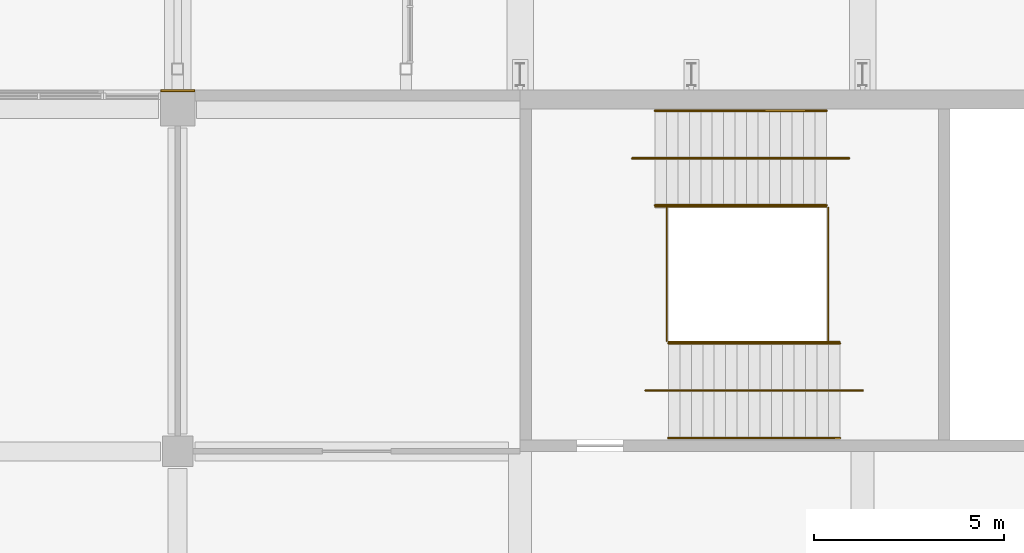
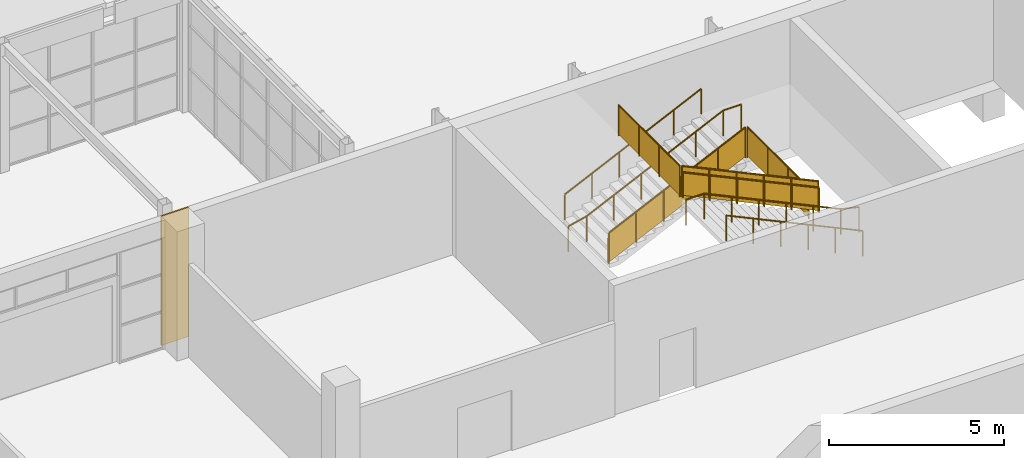
# One storey, part 163 of 168: 10 railings, 1 covering.
"""IFC4 building model written with IfcOpenShell, lengths in metres."""

from ifc_helpers import new_model, si_unit, direction, frame, origin, origin_2d, place, context, subcontext, project, spatial, polyline, circle, outline, extrude, material, layer, layer_set, type_object, element, save


model = new_model("IFC4")

# Units and contexts
model_context = context("Model", 3, precision=1e-05, world=origin(), true_north=direction((0.0, 1.0)))
body_context = subcontext(model_context, "Body", "Model", "MODEL_VIEW")
ifc_project = project(units=[si_unit("LENGTHUNIT", "METRE"), si_unit("AREAUNIT", "SQUARE_METRE"), si_unit("VOLUMEUNIT", "CUBIC_METRE"), si_unit("PLANEANGLEUNIT", "RADIAN"), si_unit("MASSUNIT", "GRAM", prefix="KILO")], contexts=[model_context])

# Site, building, storey
site_placement = place(None, origin())
site = spatial("IfcSite", under=ifc_project, at=site_placement, CompositionType="ELEMENT")
building_placement = place(site_placement, origin())
building = spatial("IfcBuilding", under=site, at=building_placement, Name="Silverbay Arena", CompositionType="ELEMENT")
storey_placement = place(building_placement, frame((0.0, 0.0, 7.0)))
storey = spatial("IfcBuildingStorey", under=building, at=storey_placement, Name="L01", CompositionType="ELEMENT", Elevation=7.0)

# Covering
ifc_material_1 = material(Name="Aluminium composite cladding", Category="aluminium")
ifc_layer = layer(ifc_material_1, 0.050048828125)
ifc_layer_set = layer_set([ifc_layer], Name="Aluminium composite cladding")
covering_type = type_object("IfcCoveringType", Name="Column cladding 50", PredefinedType="CLADDING", material=ifc_layer_set)
covering_placement = place(storey_placement, origin())
element("IfcCovering", 1, at=covering_placement, inside=storey, type_object=covering_type, Name="North column cladding L01 4", PredefinedType="CLADDING", context=body_context, shape_type="SweptSolid", body=[
    extrude(outline(polyline([(134.550048828125, 144.449951171875), (135.449951171875, 144.449951171875), (135.449951171875, 144.5), (134.550048828125, 144.5), (134.550048828125, 144.449951171875)])), origin(), (0.0, 0.0, 1.0), 4.5),
])

# Railings
ifc_material_2 = material(Name="Stainless steel", Category="steel")
railing_type_1 = type_object("IfcRailingType", Name="Stair guard 1100", PredefinedType="GUARDRAIL", material=ifc_material_2)
railing_1_placement = place(storey_placement, frame((147.546630859375, 141.425048828125, 0.140625)))
element("IfcRailing", 2, at=railing_1_placement, inside=storey, type_object=railing_type_1, Name="Stair ST-N3 L01 to L02 flight 1 guard left", PredefinedType="GUARDRAIL", context=body_context, shape_type="SweptSolid", body=[
    extrude(circle(Radius=0.02392578125, at=origin_2d()), frame((0.0, 0.0, 1.076171875), z_axis=(0.905458935959, 0.0, 0.424433876231), x_axis=(0.0, 1.0, 0.0)), (0.0, 0.0, 1.0), 4.969970703125),
    extrude(outline(polyline([(-0.008056640625, 0.046142578125), (0.907958984375, 0.4755859375), (0.907958984375, 1.478515625), (-0.008056640625, 1.04931640625), (-0.008056640625, 0.046142578125)])), frame((0.0, 0.0029296875, 0.0), z_axis=(0.0, -1.0, 0.0), x_axis=(1.0, 0.0, 0.0)), (0.0, 0.0, 1.0), 0.006103515625),
    extrude(outline(polyline([(-0.008056640625, 0.468017578125), (0.907958984375, 0.8974609375), (0.907958984375, 1.900390625), (-0.008056640625, 1.47119140625), (-0.008056640625, 0.468017578125)])), frame((0.89990234375, 0.0029296875, 0.0), z_axis=(0.0, -1.0, 0.0), x_axis=(1.0, 0.0, 0.0)), (0.0, 0.0, 1.0), 0.006103515625),
    extrude(outline(polyline([(-0.008056640625, 0.889892578125), (0.907958984375, 1.3193359375), (0.907958984375, 2.322265625), (-0.008056640625, 1.89306640625), (-0.008056640625, 0.889892578125)])), frame((1.800048828125, 0.0029296875, 0.0), z_axis=(0.0, -1.0, 0.0), x_axis=(1.0, 0.0, 0.0)), (0.0, 0.0, 1.0), 0.006103515625),
    extrude(outline(polyline([(-0.008056640625, 1.311767578125), (0.907958984375, 1.7412109375), (0.907958984375, 2.744140625), (-0.008056640625, 2.31494140625), (-0.008056640625, 1.311767578125)])), frame((2.699951171875, 0.0029296875, 0.0), z_axis=(0.0, -1.0, 0.0), x_axis=(1.0, 0.0, 0.0)), (0.0, 0.0, 1.0), 0.006103515625),
    extrude(outline(polyline([(-0.008056640625, 1.733642578125), (0.907958984375, 2.1630859375), (0.907958984375, 3.166015625), (-0.008056640625, 2.73681640625), (-0.008056640625, 1.733642578125)])), frame((3.60009765625, 0.0029296875, 0.0), z_axis=(0.0, -1.0, 0.0), x_axis=(1.0, 0.0, 0.0)), (0.0, 0.0, 1.0), 0.006103515625),
    extrude(circle(Radius=0.02099609375, at=origin_2d()), origin(), (0.0, 0.0, 1.0), 1.052001953125),
    extrude(circle(Radius=0.02099609375, at=origin_2d()), frame((0.89990234375, 0.0, 0.421875)), (0.0, 0.0, 1.0), 1.052001953125),
    extrude(circle(Radius=0.02099609375, at=origin_2d()), frame((1.800048828125, 0.0, 0.84375)), (0.0, 0.0, 1.0), 1.052001953125),
    extrude(circle(Radius=0.02099609375, at=origin_2d()), frame((2.699951171875, 0.0, 1.265625)), (0.0, 0.0, 1.0), 1.052001953125),
    extrude(circle(Radius=0.02099609375, at=origin_2d()), frame((3.60009765625, 0.0, 1.6875)), (0.0, 0.0, 1.0), 1.052001953125),
    extrude(circle(Radius=0.02099609375, at=origin_2d()), frame((4.5, 0.0, 2.109375)), (0.0, 0.0, 1.0), 1.052001953125),
])
railing_2_placement = place(storey_placement, frame((152.39990234375, 137.875, 2.390625)))
element("IfcRailing", 3, at=railing_2_placement, inside=storey, type_object=railing_type_1, Name="Stair ST-N3 L01 to L02 flight 2 guard right", PredefinedType="GUARDRAIL", context=body_context, shape_type="SweptSolid", body=[
    extrude(circle(Radius=0.02392578125, at=origin_2d()), frame((0.0, 0.0, 1.076171875), z_axis=(-0.905458935959, 0.0, 0.424433876231), x_axis=(0.0, -1.0, 0.0)), (0.0, 0.0, 1.0), 4.969970703125),
    extrude(outline(polyline([(-0.008056640625, 0.046142578125), (0.907958984375, 0.4755859375), (0.907958984375, 1.478515625), (-0.008056640625, 1.04931640625), (-0.008056640625, 0.046142578125)])), frame((0.0, -0.0029296875, 0.0), z_axis=(0.0, 1.0, 0.0), x_axis=(-1.0, 0.0, 0.0)), (0.0, 0.0, 1.0), 0.006103515625),
    extrude(outline(polyline([(-0.008056640625, 0.468017578125), (0.907958984375, 0.8974609375), (0.907958984375, 1.900390625), (-0.008056640625, 1.47119140625), (-0.008056640625, 0.468017578125)])), frame((-0.89990234375, -0.0029296875, 0.0), z_axis=(0.0, 1.0, 0.0), x_axis=(-1.0, 0.0, 0.0)), (0.0, 0.0, 1.0), 0.006103515625),
    extrude(outline(polyline([(-0.008056640625, 0.889892578125), (0.907958984375, 1.3193359375), (0.907958984375, 2.322265625), (-0.008056640625, 1.89306640625), (-0.008056640625, 0.889892578125)])), frame((-1.800048828125, -0.0029296875, 0.0), z_axis=(0.0, 1.0, 0.0), x_axis=(-1.0, 0.0, 0.0)), (0.0, 0.0, 1.0), 0.006103515625),
    extrude(outline(polyline([(-0.008056640625, 1.311767578125), (0.907958984375, 1.7412109375), (0.907958984375, 2.744140625), (-0.008056640625, 2.31494140625), (-0.008056640625, 1.311767578125)])), frame((-2.699951171875, -0.0029296875, 0.0), z_axis=(0.0, 1.0, 0.0), x_axis=(-1.0, 0.0, 0.0)), (0.0, 0.0, 1.0), 0.006103515625),
    extrude(outline(polyline([(-0.008056640625, 1.733642578125), (0.907958984375, 2.1630859375), (0.907958984375, 3.166015625), (-0.008056640625, 2.73681640625), (-0.008056640625, 1.733642578125)])), frame((-3.60009765625, -0.0029296875, 0.0), z_axis=(0.0, 1.0, 0.0), x_axis=(-1.0, 0.0, 0.0)), (0.0, 0.0, 1.0), 0.006103515625),
    extrude(circle(Radius=0.02099609375, at=origin_2d()), origin(), (0.0, 0.0, 1.0), 1.052001953125),
    extrude(circle(Radius=0.02099609375, at=origin_2d()), frame((-0.89990234375, 0.0, 0.421875)), (0.0, 0.0, 1.0), 1.052001953125),
    extrude(circle(Radius=0.02099609375, at=origin_2d()), frame((-1.800048828125, 0.0, 0.84375)), (0.0, 0.0, 1.0), 1.052001953125),
    extrude(circle(Radius=0.02099609375, at=origin_2d()), frame((-2.699951171875, 0.0, 1.265625)), (0.0, 0.0, 1.0), 1.052001953125),
    extrude(circle(Radius=0.02099609375, at=origin_2d()), frame((-3.60009765625, 0.0, 1.6875)), (0.0, 0.0, 1.0), 1.052001953125),
    extrude(circle(Radius=0.02099609375, at=origin_2d()), frame((-4.5, 0.0, 2.109375)), (0.0, 0.0, 1.0), 1.052001953125),
])
for number, where, name in (
    (4, (152.0966796875, 137.89990234375, 2.25), "Stair ST-N3 L01 to L02 landing 1 guard"),
    (5, (147.85009765625, 137.89990234375, 4.5), "Stair ST-N3 L01 to L02 landing 2 guard"),
):
    element("IfcRailing", number, at=place(storey_placement, frame(where)), inside=storey, type_object=railing_type_1, Name=name, PredefinedType="GUARDRAIL", context=body_context, shape_type="SweptSolid", body=[
        extrude(circle(Radius=0.02392578125, at=origin_2d()), frame((0.0, 0.0, 1.076171875), z_axis=(0.0, 1.0, 0.0), x_axis=(-1.0, 0.0, 0.0)), (0.0, 0.0, 1.0), 3.5),
        extrude(outline(polyline([(-0.008056640625, 0.050048828125), (1.174560546875, 0.050048828125), (1.174560546875, 1.052978515625), (-0.008056640625, 1.052978515625), (-0.008056640625, 0.050048828125)])), frame((-0.0029296875, 0.0, 0.0), z_axis=(1.0, 0.0, 0.0), x_axis=(0.0, 1.0, 0.0)), (0.0, 0.0, 1.0), 0.006103515625),
        extrude(outline(polyline([(-0.008056640625, 0.050048828125), (1.174560546875, 0.050048828125), (1.174560546875, 1.052978515625), (-0.008056640625, 1.052978515625), (-0.008056640625, 0.050048828125)])), frame((-0.0029296875, 1.166748046875, 0.0), z_axis=(1.0, 0.0, 0.0), x_axis=(0.0, 1.0, 0.0)), (0.0, 0.0, 1.0), 0.006103515625),
        extrude(outline(polyline([(-0.008056640625, 0.050048828125), (1.174560546875, 0.050048828125), (1.174560546875, 1.052978515625), (-0.008056640625, 1.052978515625), (-0.008056640625, 0.050048828125)])), frame((-0.0029296875, 2.333251953125, 0.0), z_axis=(1.0, 0.0, 0.0), x_axis=(0.0, 1.0, 0.0)), (0.0, 0.0, 1.0), 0.006103515625),
        extrude(circle(Radius=0.02099609375, at=origin_2d()), origin(), (0.0, 0.0, 1.0), 1.052001953125),
        extrude(circle(Radius=0.02099609375, at=origin_2d()), frame((0.0, 1.166748046875, 0.0)), (0.0, 0.0, 1.0), 1.052001953125),
        extrude(circle(Radius=0.02099609375, at=origin_2d()), frame((0.0, 2.333251953125, 0.0)), (0.0, 0.0, 1.0), 1.052001953125),
        extrude(circle(Radius=0.02099609375, at=origin_2d()), frame((0.0, 3.5, 0.0)), (0.0, 0.0, 1.0), 1.052001953125),
    ])
ifc_material_3 = material(Name="Stainless steel", Category="steel")
railing_type_2 = type_object("IfcRailingType", Name="Stair handrail 900", PredefinedType="HANDRAIL", material=ifc_material_3)
for number, where, name in (
    (6, (147.546630859375, 141.464111328125, 0.140625), "Stair ST-N3 L01 to L02 flight 1 handrail left"),
    (7, (147.546630859375, 143.949951171875, 0.140625), "Stair ST-N3 L01 to L02 flight 1 handrail right"),
):
    element("IfcRailing", number, at=place(storey_placement, frame(where)), inside=storey, type_object=railing_type_2, Name=name, PredefinedType="HANDRAIL", context=body_context, shape_type="SweptSolid", body=[
        extrude(circle(Radius=0.02392578125, at=origin_2d()), frame((0.0, 0.0, 0.8759765625), z_axis=(0.905458935959, 0.0, 0.424433876231), x_axis=(0.0, 1.0, 0.0)), (0.0, 0.0, 1.0), 4.969970703125),
        extrude(circle(Radius=0.02099609375, at=origin_2d()), origin(), (0.0, 0.0, 1.0), 0.851806640625),
        extrude(circle(Radius=0.02099609375, at=origin_2d()), frame((0.89990234375, 0.0, 0.421875)), (0.0, 0.0, 1.0), 0.851806640625),
        extrude(circle(Radius=0.02099609375, at=origin_2d()), frame((1.800048828125, 0.0, 0.84375)), (0.0, 0.0, 1.0), 0.851806640625),
        extrude(circle(Radius=0.02099609375, at=origin_2d()), frame((2.699951171875, 0.0, 1.265625)), (0.0, 0.0, 1.0), 0.851806640625),
        extrude(circle(Radius=0.02099609375, at=origin_2d()), frame((3.60009765625, 0.0, 1.6875)), (0.0, 0.0, 1.0), 0.851806640625),
        extrude(circle(Radius=0.02099609375, at=origin_2d()), frame((4.5, 0.0, 2.109375)), (0.0, 0.0, 1.0), 0.851806640625),
    ])
railing_3_placement = place(storey_placement, frame((146.946533203125, 142.699951171875, 0.0)))
element("IfcRailing", 8, at=railing_3_placement, inside=storey, type_object=railing_type_2, Name="Stair ST-N3 L01 to L02 flight 1 central handrail", PredefinedType="HANDRAIL", context=body_context, shape_type="SweptSolid", body=[
    extrude(circle(Radius=0.02392578125, at=origin_2d()), frame((0.0, 0.0, 0.8759765625), z_axis=(0.973624560196, 0.0, 0.228156121511), x_axis=(0.0, 1.0, 0.0)), (0.0, 0.0, 1.0), 0.616455078125),
    extrude(circle(Radius=0.02392578125, at=origin_2d()), frame((0.60009765625, 0.0, 1.0166015625), z_axis=(0.905458935959, 0.0, 0.424433876231), x_axis=(0.0, 1.0, 0.0)), (0.0, 0.0, 1.0), 4.969970703125),
    extrude(circle(Radius=0.02392578125, at=origin_2d()), frame((5.10009765625, 0.0, 3.1259765625), z_axis=(1.0, 0.0, 0.0), x_axis=(0.0, 1.0, 0.0)), (0.0, 0.0, 1.0), 0.599853515625),
    extrude(circle(Radius=0.02099609375, at=origin_2d()), origin(), (0.0, 0.0, 1.0), 0.851806640625),
    extrude(circle(Radius=0.02099609375, at=origin_2d()), frame((0.60009765625, 0.0, 0.140625)), (0.0, 0.0, 1.0), 0.851806640625),
    extrude(circle(Radius=0.02099609375, at=origin_2d()), frame((1.5, 0.0, 0.5625)), (0.0, 0.0, 1.0), 0.851806640625),
    extrude(circle(Radius=0.02099609375, at=origin_2d()), frame((2.400146484375, 0.0, 0.984375)), (0.0, 0.0, 1.0), 0.851806640625),
    extrude(circle(Radius=0.02099609375, at=origin_2d()), frame((3.300048828125, 0.0, 1.40625)), (0.0, 0.0, 1.0), 0.851806640625),
    extrude(circle(Radius=0.02099609375, at=origin_2d()), frame((4.2001953125, 0.0, 1.828125)), (0.0, 0.0, 1.0), 0.851806640625),
    extrude(circle(Radius=0.02099609375, at=origin_2d()), frame((5.10009765625, 0.0, 2.25)), (0.0, 0.0, 1.0), 0.851806640625),
    extrude(circle(Radius=0.02099609375, at=origin_2d()), frame((5.699951171875, 0.0, 2.25)), (0.0, 0.0, 1.0), 0.851806640625),
])
for number, where, name in (
    (9, (152.39990234375, 135.35009765625, 2.390625), "Stair ST-N3 L01 to L02 flight 2 handrail left"),
    (10, (152.39990234375, 137.8359375, 2.390625), "Stair ST-N3 L01 to L02 flight 2 handrail right"),
):
    element("IfcRailing", number, at=place(storey_placement, frame(where)), inside=storey, type_object=railing_type_2, Name=name, PredefinedType="HANDRAIL", context=body_context, shape_type="SweptSolid", body=[
        extrude(circle(Radius=0.02392578125, at=origin_2d()), frame((0.0, 0.0, 0.8759765625), z_axis=(-0.905458935959, 0.0, 0.424433876231), x_axis=(0.0, -1.0, 0.0)), (0.0, 0.0, 1.0), 4.969970703125),
        extrude(circle(Radius=0.02099609375, at=origin_2d()), origin(), (0.0, 0.0, 1.0), 0.851806640625),
        extrude(circle(Radius=0.02099609375, at=origin_2d()), frame((-0.89990234375, 0.0, 0.421875)), (0.0, 0.0, 1.0), 0.851806640625),
        extrude(circle(Radius=0.02099609375, at=origin_2d()), frame((-1.800048828125, 0.0, 0.84375)), (0.0, 0.0, 1.0), 0.851806640625),
        extrude(circle(Radius=0.02099609375, at=origin_2d()), frame((-2.699951171875, 0.0, 1.265625)), (0.0, 0.0, 1.0), 0.851806640625),
        extrude(circle(Radius=0.02099609375, at=origin_2d()), frame((-3.60009765625, 0.0, 1.6875)), (0.0, 0.0, 1.0), 0.851806640625),
        extrude(circle(Radius=0.02099609375, at=origin_2d()), frame((-4.5, 0.0, 2.109375)), (0.0, 0.0, 1.0), 0.851806640625),
    ])
railing_4_placement = place(storey_placement, frame((153.0, 136.60009765625, 2.25)))
element("IfcRailing", 11, at=railing_4_placement, inside=storey, type_object=railing_type_2, Name="Stair ST-N3 L01 to L02 flight 2 central handrail", PredefinedType="HANDRAIL", context=body_context, shape_type="SweptSolid", body=[
    extrude(circle(Radius=0.02392578125, at=origin_2d()), frame((0.0, 0.0, 0.8759765625), z_axis=(-0.973624560196, 0.0, 0.228156121511), x_axis=(0.0, -1.0, 0.0)), (0.0, 0.0, 1.0), 0.616455078125),
    extrude(circle(Radius=0.02392578125, at=origin_2d()), frame((-0.60009765625, 0.0, 1.0166015625), z_axis=(-0.905458935959, 0.0, 0.424433876231), x_axis=(0.0, -1.0, 0.0)), (0.0, 0.0, 1.0), 4.969970703125),
    extrude(circle(Radius=0.02392578125, at=origin_2d()), frame((-5.10009765625, 0.0, 3.1259765625), z_axis=(-1.0, 0.0, 0.0), x_axis=(0.0, -1.0, 0.0)), (0.0, 0.0, 1.0), 0.599853515625),
    extrude(circle(Radius=0.02099609375, at=origin_2d()), origin(), (0.0, 0.0, 1.0), 0.851806640625),
    extrude(circle(Radius=0.02099609375, at=origin_2d()), frame((-0.60009765625, 0.0, 0.140625)), (0.0, 0.0, 1.0), 0.851806640625),
    extrude(circle(Radius=0.02099609375, at=origin_2d()), frame((-1.5, 0.0, 0.5625)), (0.0, 0.0, 1.0), 0.851806640625),
    extrude(circle(Radius=0.02099609375, at=origin_2d()), frame((-2.400146484375, 0.0, 0.984375)), (0.0, 0.0, 1.0), 0.851806640625),
    extrude(circle(Radius=0.02099609375, at=origin_2d()), frame((-3.300048828125, 0.0, 1.40625)), (0.0, 0.0, 1.0), 0.851806640625),
    extrude(circle(Radius=0.02099609375, at=origin_2d()), frame((-4.2001953125, 0.0, 1.828125)), (0.0, 0.0, 1.0), 0.851806640625),
    extrude(circle(Radius=0.02099609375, at=origin_2d()), frame((-5.10009765625, 0.0, 2.25)), (0.0, 0.0, 1.0), 0.851806640625),
    extrude(circle(Radius=0.02099609375, at=origin_2d()), frame((-5.699951171875, 0.0, 2.25)), (0.0, 0.0, 1.0), 0.851806640625),
])

save(model, "model.ifc")
